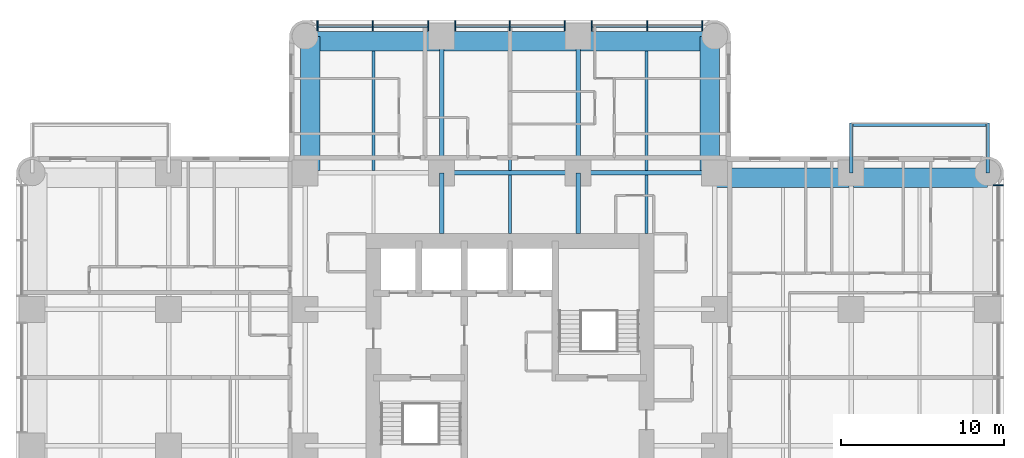
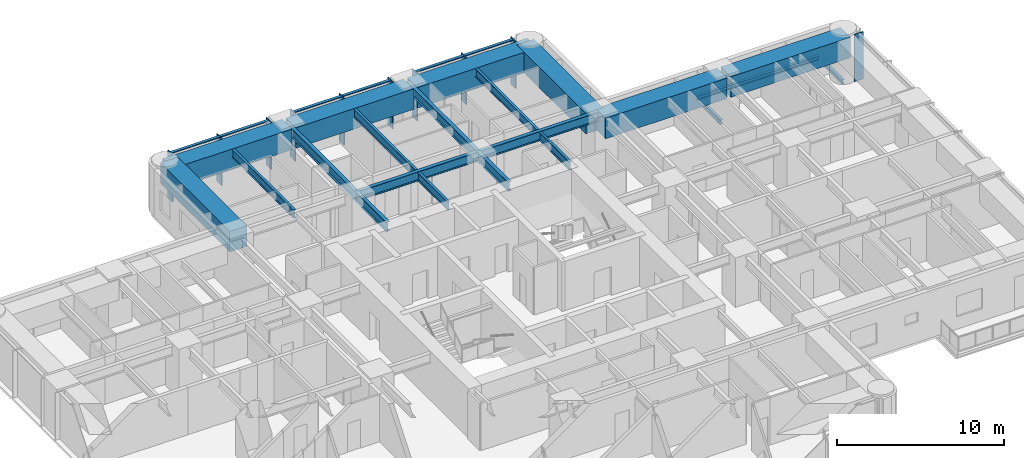
# One storey, part 4 of 14: 21 beams, 16 members, 2 elements without a shape of their own.
"""IFC4 building model written with IfcOpenShell, lengths in metres."""

from ifc_helpers import new_model, si_unit, direction, frame, origin, origin_2d, place, context, subcontext, project, spatial, rectangle, i_section, extrude, material, material_profile, profile_set, type_object, element, aggregate, save


model = new_model("IFC4")

# Units and contexts
model_context = context("Model", 3, precision=1e-05, world=origin(), true_north=direction((0.0, 1.0)))
body_context = subcontext(model_context, "Body", "Model", "MODEL_VIEW")
ifc_project = project(units=[si_unit("LENGTHUNIT", "METRE"), si_unit("AREAUNIT", "SQUARE_METRE"), si_unit("VOLUMEUNIT", "CUBIC_METRE"), si_unit("PLANEANGLEUNIT", "RADIAN"), si_unit("MASSUNIT", "GRAM", prefix="KILO")], contexts=[model_context])

# Site, building, storey
site_placement = place(None, origin())
site = spatial("IfcSite", under=ifc_project, at=site_placement, CompositionType="ELEMENT")
building_placement = place(site_placement, origin())
building = spatial("IfcBuilding", under=site, at=building_placement, Name="Torre Alcanfor", CompositionType="ELEMENT")
storey_placement = place(building_placement, frame((0.0, 0.0, 126.89990234375)))
storey = spatial("IfcBuildingStorey", under=building, at=storey_placement, Name="L32", CompositionType="ELEMENT", Elevation=126.89990234375)

# Beams
ifc_material_1 = material(Name="Steel ASTM A992 Grade 50", Category="steel")
ifc_material_profile_1 = material_profile(ifc_material_1, i_section(OverallWidth=0.205322265625, OverallDepth=0.309814453125, WebThickness=0.00927734375, FlangeThickness=0.016357421875, at=origin_2d()), Name="W12x50")
ifc_profile_set_1 = profile_set([ifc_material_profile_1], Name="Steel ASTM A992 Grade 50")
beam_type_1 = type_object("IfcBeamType", Name="Balcony cantilever beam W12x50", PredefinedType="BEAM", material=ifc_profile_set_1)
for number, where, z_axis, x_axis, name in (
    (1, (50.39990234375, 42.0, -0.354736328125), (0.0, 1.0, 0.0), (-1.0, 0.0, 0.0), "Balcony cantilever beam L32-E1 1"),
    (2, (58.800048828125, 42.0, -0.354736328125), (0.0, 1.0, 0.0), (-1.0, 0.0, 0.0), "Balcony cantilever beam L32-E1 2"),
):
    element("IfcBeam", number, at=place(storey_placement, frame(where, z_axis=z_axis, x_axis=x_axis)), inside=storey, type_object=beam_type_1, Name=name, PredefinedType="BEAM", context=body_context, shape_type="SweptSolid", body=[
        extrude(i_section(OverallWidth=0.205322265625, OverallDepth=0.309814453125, WebThickness=0.00927734375, FlangeThickness=0.016357421875, at=origin_2d()), origin(), (0.0, 0.0, 1.0), 3.050048828125),
    ])
ifc_material_2 = material(Name="Steel ASTM A992 Grade 50", Category="steel")
ifc_material_profile_2 = material_profile(ifc_material_2, i_section(OverallWidth=0.203369140625, OverallDepth=0.30224609375, WebThickness=0.007568359375, FlangeThickness=0.01318359375, at=origin_2d()), Name="W12x40")
ifc_profile_set_2 = profile_set([ifc_material_profile_2], Name="Steel ASTM A992 Grade 50")
beam_type_2 = type_object("IfcBeamType", Name="Balcony edge trimmer W12x40", PredefinedType="BEAM", material=ifc_profile_set_2)
beam_1_placement = place(storey_placement, frame((50.39990234375, 44.9482421875, -0.35107421875), z_axis=(1.0, 0.0, 0.0), x_axis=(0.0, 1.0, 0.0)))
element("IfcBeam", 3, at=beam_1_placement, inside=storey, type_object=beam_type_2, Name="Balcony edge trimmer L32-E1", PredefinedType="BEAM", context=body_context, shape_type="SweptSolid", body=[
    extrude(i_section(OverallWidth=0.203369140625, OverallDepth=0.30224609375, WebThickness=0.007568359375, FlangeThickness=0.01318359375, at=origin_2d()), origin(), (0.0, 0.0, 1.0), 8.400146484375),
])

# Curtain wall, member
ifc_material_3 = material(Name="Aluminium and glass", Category="aluminium")
curtain_wall_type = type_object("IfcCurtainWallType", Name="CW-A unitised apartment glazing with vertical FIN", PredefinedType="NOTDEFINED", material=ifc_material_3)
curtain_wall_1_placement = place(storey_placement, origin())
curtain_wall_1 = element("IfcCurtainWall", 4, at=curtain_wall_1_placement, inside=storey, type_object=curtain_wall_type, Name="Curtain wall CW-A L32 8", PredefinedType="NOTDEFINED")
ifc_material_4 = material(Name="Bronze anodised aluminium", Category="aluminium")
ifc_material_profile_3 = material_profile(ifc_material_4, rectangle(XDim=0.60009765625, YDim=0.06494140625, at=origin_2d()), Name="CW-A mullion 65x600")
ifc_profile_set_3 = profile_set([ifc_material_profile_3], Name="Bronze anodised aluminium")
member_type_1 = type_object("IfcMemberType", Name="CW-A mullion with vertical FIN 65x600", PredefinedType="MULLION", material=ifc_profile_set_3)
member_1_placement = place(storey_placement, frame((59.449951171875, 41.24267578125, 0.0), z_axis=(0.0, 0.0, 1.0), x_axis=(-1.0, 0.0, 0.0)))
member_1 = element("IfcMember", 5, at=member_1_placement, type_object=member_type_1, Name="CW-A mullion 3.3", PredefinedType="MULLION", context=body_context, shape_type="SweptSolid", body=[
    extrude(rectangle(XDim=0.60009765625, YDim=0.06494140625, at=origin_2d()), origin(), (0.0, 0.0, 1.0), 3.4501953125),
])
aggregate(curtain_wall_1, [member_1])

# Curtain wall, members
curtain_wall_2_placement = place(storey_placement, origin())
curtain_wall_2 = element("IfcCurtainWall", 6, at=curtain_wall_2_placement, inside=storey, type_object=curtain_wall_type, Name="Curtain wall CW-A L32 11", PredefinedType="NOTDEFINED")
member_2_placement = place(storey_placement, frame((41.24267578125, 51.050048828125, 0.0), z_axis=(0.0, 0.0, 1.0), x_axis=(0.0, -1.0, 0.0)))
member_2 = element("IfcMember", 7, at=member_2_placement, type_object=member_type_1, Name="CW-A mullion 1.1", PredefinedType="MULLION", context=body_context, shape_type="SweptSolid", body=[
    extrude(rectangle(XDim=0.60009765625, YDim=0.06494140625, at=origin_2d()), origin(), (0.0, 0.0, 1.0), 3.4501953125),
])
member_3_placement = place(storey_placement, frame((37.840087890625, 51.050048828125, 0.0), z_axis=(0.0, 0.0, 1.0), x_axis=(0.0, -1.0, 0.0)))
member_3 = element("IfcMember", 8, at=member_3_placement, type_object=member_type_1, Name="CW-A mullion 1.2", PredefinedType="MULLION", context=body_context, shape_type="SweptSolid", body=[
    extrude(rectangle(XDim=0.60009765625, YDim=0.06494140625, at=origin_2d()), origin(), (0.0, 0.0, 1.0), 3.4501953125),
])
member_4_placement = place(storey_placement, frame((34.4375, 51.050048828125, 0.0), z_axis=(0.0, 0.0, 1.0), x_axis=(0.0, -1.0, 0.0)))
member_4 = element("IfcMember", 9, at=member_4_placement, type_object=member_type_1, Name="CW-A mullion 1.3", PredefinedType="MULLION", context=body_context, shape_type="SweptSolid", body=[
    extrude(rectangle(XDim=0.60009765625, YDim=0.06494140625, at=origin_2d()), origin(), (0.0, 0.0, 1.0), 3.4501953125),
])
member_5_placement = place(storey_placement, frame((32.762451171875, 51.050048828125, 0.0), z_axis=(0.0, 0.0, 1.0), x_axis=(0.0, -1.0, 0.0)))
member_5 = element("IfcMember", 10, at=member_5_placement, type_object=member_type_1, Name="CW-A mullion 2.1", PredefinedType="MULLION", context=body_context, shape_type="SweptSolid", body=[
    extrude(rectangle(XDim=0.60009765625, YDim=0.06494140625, at=origin_2d()), origin(), (0.0, 0.0, 1.0), 3.4501953125),
])
member_6_placement = place(storey_placement, frame((29.39990234375, 51.050048828125, 0.0), z_axis=(0.0, 0.0, 1.0), x_axis=(0.0, -1.0, 0.0)))
member_6 = element("IfcMember", 11, at=member_6_placement, type_object=member_type_1, Name="CW-A mullion 2.2", PredefinedType="MULLION", context=body_context, shape_type="SweptSolid", body=[
    extrude(rectangle(XDim=0.60009765625, YDim=0.06494140625, at=origin_2d()), origin(), (0.0, 0.0, 1.0), 3.4501953125),
])
member_7_placement = place(storey_placement, frame((26.03759765625, 51.050048828125, 0.0), z_axis=(0.0, 0.0, 1.0), x_axis=(0.0, -1.0, 0.0)))
member_7 = element("IfcMember", 12, at=member_7_placement, type_object=member_type_1, Name="CW-A mullion 2.3", PredefinedType="MULLION", context=body_context, shape_type="SweptSolid", body=[
    extrude(rectangle(XDim=0.60009765625, YDim=0.06494140625, at=origin_2d()), origin(), (0.0, 0.0, 1.0), 3.4501953125),
])
member_8_placement = place(storey_placement, frame((24.362548828125, 51.050048828125, 0.0), z_axis=(0.0, 0.0, 1.0), x_axis=(0.0, -1.0, 0.0)))
member_8 = element("IfcMember", 13, at=member_8_placement, type_object=member_type_1, Name="CW-A mullion 3.1", PredefinedType="MULLION", context=body_context, shape_type="SweptSolid", body=[
    extrude(rectangle(XDim=0.60009765625, YDim=0.06494140625, at=origin_2d()), origin(), (0.0, 0.0, 1.0), 3.4501953125),
])
member_9_placement = place(storey_placement, frame((20.9599609375, 51.050048828125, 0.0), z_axis=(0.0, 0.0, 1.0), x_axis=(0.0, -1.0, 0.0)))
member_9 = element("IfcMember", 14, at=member_9_placement, type_object=member_type_1, Name="CW-A mullion 3.2", PredefinedType="MULLION", context=body_context, shape_type="SweptSolid", body=[
    extrude(rectangle(XDim=0.60009765625, YDim=0.06494140625, at=origin_2d()), origin(), (0.0, 0.0, 1.0), 3.4501953125),
])
member_10_placement = place(storey_placement, frame((17.557373046875, 51.050048828125, 0.0), z_axis=(0.0, 0.0, 1.0), x_axis=(0.0, -1.0, 0.0)))
member_10 = element("IfcMember", 15, at=member_10_placement, type_object=member_type_1, Name="CW-A mullion 3.3", PredefinedType="MULLION", context=body_context, shape_type="SweptSolid", body=[
    extrude(rectangle(XDim=0.60009765625, YDim=0.06494140625, at=origin_2d()), origin(), (0.0, 0.0, 1.0), 3.4501953125),
])
ifc_material_5 = material(Name="Extruded aluminium", Category="aluminium")
ifc_material_profile_4 = material_profile(ifc_material_5, rectangle(XDim=0.199951171875, YDim=0.06494140625, at=origin_2d()), Name="CW-A transom 200x65")
ifc_profile_set_4 = profile_set([ifc_material_profile_4], Name="Extruded aluminium")
member_type_2 = type_object("IfcMemberType", Name="CW-A transom 65x200", PredefinedType="USERDEFINED", material=ifc_profile_set_4)
member_11_placement = place(storey_placement, frame((41.210205078125, 51.050048828125, 3.41748046875), z_axis=(-1.0, 0.0, 0.0), x_axis=(0.0, -1.0, 0.0)))
member_11 = element("IfcMember", 16, at=member_11_placement, type_object=member_type_2, Name="CW-A transom 1.1.2", ObjectType="TRANSOM", PredefinedType="USERDEFINED", context=body_context, shape_type="SweptSolid", body=[
    extrude(rectangle(XDim=0.199951171875, YDim=0.06494140625, at=origin_2d()), origin(), (0.0, 0.0, 1.0), 3.337646484375),
])
member_12_placement = place(storey_placement, frame((37.8076171875, 51.050048828125, 3.41748046875), z_axis=(-1.0, 0.0, 0.0), x_axis=(0.0, -1.0, 0.0)))
member_12 = element("IfcMember", 17, at=member_12_placement, type_object=member_type_2, Name="CW-A transom 1.2.2", ObjectType="TRANSOM", PredefinedType="USERDEFINED", context=body_context, shape_type="SweptSolid", body=[
    extrude(rectangle(XDim=0.199951171875, YDim=0.06494140625, at=origin_2d()), origin(), (0.0, 0.0, 1.0), 3.337646484375),
])
member_13_placement = place(storey_placement, frame((32.72998046875, 51.050048828125, 3.41748046875), z_axis=(-1.0, 0.0, 0.0), x_axis=(0.0, -1.0, 0.0)))
member_13 = element("IfcMember", 18, at=member_13_placement, type_object=member_type_2, Name="CW-A transom 2.1.2", ObjectType="TRANSOM", PredefinedType="USERDEFINED", context=body_context, shape_type="SweptSolid", body=[
    extrude(rectangle(XDim=0.199951171875, YDim=0.06494140625, at=origin_2d()), origin(), (0.0, 0.0, 1.0), 3.29736328125),
])
member_14_placement = place(storey_placement, frame((29.367431640625, 51.050048828125, 3.41748046875), z_axis=(-1.0, 0.0, 0.0), x_axis=(0.0, -1.0, 0.0)))
member_14 = element("IfcMember", 19, at=member_14_placement, type_object=member_type_2, Name="CW-A transom 2.2.2", ObjectType="TRANSOM", PredefinedType="USERDEFINED", context=body_context, shape_type="SweptSolid", body=[
    extrude(rectangle(XDim=0.199951171875, YDim=0.06494140625, at=origin_2d()), origin(), (0.0, 0.0, 1.0), 3.29736328125),
])
member_15_placement = place(storey_placement, frame((24.330078125, 51.050048828125, 3.41748046875), z_axis=(-1.0, 0.0, 0.0), x_axis=(0.0, -1.0, 0.0)))
member_15 = element("IfcMember", 20, at=member_15_placement, type_object=member_type_2, Name="CW-A transom 3.1.2", ObjectType="TRANSOM", PredefinedType="USERDEFINED", context=body_context, shape_type="SweptSolid", body=[
    extrude(rectangle(XDim=0.199951171875, YDim=0.06494140625, at=origin_2d()), origin(), (0.0, 0.0, 1.0), 3.337646484375),
])
member_16_placement = place(storey_placement, frame((20.927490234375, 51.050048828125, 3.41748046875), z_axis=(-1.0, 0.0, 0.0), x_axis=(0.0, -1.0, 0.0)))
member_16 = element("IfcMember", 21, at=member_16_placement, type_object=member_type_2, Name="CW-A transom 3.2.2", ObjectType="TRANSOM", PredefinedType="USERDEFINED", context=body_context, shape_type="SweptSolid", body=[
    extrude(rectangle(XDim=0.199951171875, YDim=0.06494140625, at=origin_2d()), origin(), (0.0, 0.0, 1.0), 3.337646484375),
])
aggregate(curtain_wall_2, [member_2, member_3, member_4, member_11, member_12, member_5, member_6, member_7, member_13, member_14, member_8, member_9, member_10, member_15, member_16])

# Beams
ifc_material_6 = material(Name="Steel ASTM A992 Grade 50", Category="steel")
ifc_material_profile_5 = material_profile(ifc_material_6, i_section(OverallWidth=0.25390625, OverallDepth=0.683349609375, WebThickness=0.012451171875, FlangeThickness=0.01904296875, at=origin_2d()), Name="W27x94")
ifc_profile_set_5 = profile_set([ifc_material_profile_5], Name="Steel ASTM A992 Grade 50")
beam_type_3 = type_object("IfcBeamType", Name="Girder W27x94", PredefinedType="BEAM", material=ifc_profile_set_5)
beam_2_placement = place(storey_placement, frame((25.199951171875, 42.0, 3.1083984375), z_axis=(1.0, 0.0, 0.0), x_axis=(0.0, 1.0, 0.0)))
element("IfcBeam", 22, at=beam_2_placement, inside=storey, type_object=beam_type_3, Name="Beam 4H-5H under L33", PredefinedType="BEAM", context=body_context, shape_type="SweptSolid", body=[
    extrude(i_section(OverallWidth=0.25390625, OverallDepth=0.683349609375, WebThickness=0.012451171875, FlangeThickness=0.01904296875, at=origin_2d()), origin(), (0.0, 0.0, 1.0), 8.400146484375),
])
for number, where, z_axis, x_axis, name in (
    (23, (33.60009765625, 42.0, 3.1083984375), (1.0, 0.0, 0.0), (0.0, 1.0, 0.0), "Beam 5H-6H under L33"),
    (24, (25.199951171875, 42.0, 3.1083984375), (0.0, 1.0, 0.0), (-1.0, 0.0, 0.0), "Beam 4H-4J under L33"),
    (25, (33.60009765625, 42.0, 3.1083984375), (0.0, 1.0, 0.0), (-1.0, 0.0, 0.0), "Beam 5H-5J under L33"),
):
    element("IfcBeam", number, at=place(storey_placement, frame(where, z_axis=z_axis, x_axis=x_axis)), inside=storey, type_object=beam_type_3, Name=name, PredefinedType="BEAM", context=body_context, shape_type="SweptSolid", body=[
        extrude(i_section(OverallWidth=0.25390625, OverallDepth=0.683349609375, WebThickness=0.012451171875, FlangeThickness=0.01904296875, at=origin_2d()), origin(), (0.0, 0.0, 1.0), 8.39990234375),
    ])
ifc_material_7 = material(Name="Steel ASTM A992 Grade 50", Category="steel")
ifc_material_profile_6 = material_profile(ifc_material_7, i_section(OverallWidth=0.25390625, OverallDepth=0.683349609375, WebThickness=0.012451171875, FlangeThickness=0.01904296875, at=origin_2d()), Name="W27x94")
ifc_profile_set_6 = profile_set([ifc_material_profile_6], Name="Steel ASTM A992 Grade 50")
beam_type_4 = type_object("IfcBeamType", Name="Girder, part bay W27x94", PredefinedType="BEAM", material=ifc_profile_set_6)
for number, where, z_axis, x_axis, name in (
    (26, (25.199951171875, 42.0, 3.1083984375), (0.0, -1.0, 0.0), (1.0, 0.0, 0.0), "Beam 4H-438_25 under L33"),
    (27, (33.60009765625, 42.0, 3.1083984375), (0.0, -1.0, 0.0), (1.0, 0.0, 0.0), "Beam 5H-538_25 under L33"),
):
    element("IfcBeam", number, at=place(storey_placement, frame(where, z_axis=z_axis, x_axis=x_axis)), inside=storey, type_object=beam_type_4, Name=name, PredefinedType="BEAM", context=body_context, shape_type="SweptSolid", body=[
        extrude(i_section(OverallWidth=0.25390625, OverallDepth=0.683349609375, WebThickness=0.012451171875, FlangeThickness=0.01904296875, at=origin_2d()), origin(), (0.0, 0.0, 1.0), 3.75),
    ])
ifc_material_8 = material(Name="Concrete f'c 70 MPa", Category="concrete")
ifc_material_profile_7 = material_profile(ifc_material_8, rectangle(XDim=1.199951171875, YDim=1.5, at=origin_2d()), Name="1200x1500")
ifc_profile_set_7 = profile_set([ifc_material_profile_7], Name="Concrete f'c 70 MPa")
beam_type_5 = type_object("IfcBeamType", Name="RC perimeter beam 1200x1500", PredefinedType="BEAM", material=ifc_profile_set_7)
beam_3_placement = place(storey_placement, frame((41.873046875, 41.699951171875, 2.7001953125), z_axis=(1.0, 0.0, 0.0), x_axis=(0.0, 1.0, 0.0)))
element("IfcBeam", 28, at=beam_3_placement, inside=storey, type_object=beam_type_5, Name="Beam 6H-7H under L33", PredefinedType="BEAM", context=body_context, shape_type="SweptSolid", body=[
    extrude(rectangle(XDim=1.199951171875, YDim=1.5, at=origin_2d()), origin(), (0.0, 0.0, 1.0), 8.39990234375),
])
for number, where, z_axis, x_axis, name in (
    (29, (50.527099609375, 41.699951171875, 2.7001953125), (1.0, 0.0, 0.0), (0.0, 1.0, 0.0), "Beam 7H-8H under L33"),
    (30, (16.800048828125, 50.10009765625, 2.7001953125), (1.0, 0.0, 0.0), (0.0, 1.0, 0.0), "Beam 3J-4J under L33"),
):
    element("IfcBeam", number, at=place(storey_placement, frame(where, z_axis=z_axis, x_axis=x_axis)), inside=storey, type_object=beam_type_5, Name=name, PredefinedType="BEAM", context=body_context, shape_type="SweptSolid", body=[
        extrude(rectangle(XDim=1.199951171875, YDim=1.5, at=origin_2d()), origin(), (0.0, 0.0, 1.0), 8.27294921875),
    ])
beam_4_placement = place(storey_placement, frame((25.326904296875, 50.10009765625, 2.7001953125), z_axis=(1.0, 0.0, 0.0), x_axis=(0.0, 1.0, 0.0)))
element("IfcBeam", 31, at=beam_4_placement, inside=storey, type_object=beam_type_5, Name="Beam 4J-5J under L33", PredefinedType="BEAM", context=body_context, shape_type="SweptSolid", body=[
    extrude(rectangle(XDim=1.199951171875, YDim=1.5, at=origin_2d()), origin(), (0.0, 0.0, 1.0), 8.14599609375),
])
for number, where, z_axis, x_axis, name in (
    (32, (33.72705078125, 50.10009765625, 2.7001953125), (1.0, 0.0, 0.0), (0.0, 1.0, 0.0), "Beam 5J-6J under L33"),
    (33, (17.10009765625, 42.126953125, 2.7001953125), (0.0, 1.0, 0.0), (-1.0, 0.0, 0.0), "Beam 3H-3J under L33"),
    (34, (41.699951171875, 42.126953125, 2.7001953125), (0.0, 1.0, 0.0), (-1.0, 0.0, 0.0), "Beam 6H-6J under L33"),
):
    element("IfcBeam", number, at=place(storey_placement, frame(where, z_axis=z_axis, x_axis=x_axis)), inside=storey, type_object=beam_type_5, Name=name, PredefinedType="BEAM", context=body_context, shape_type="SweptSolid", body=[
        extrude(rectangle(XDim=1.199951171875, YDim=1.5, at=origin_2d()), origin(), (0.0, 0.0, 1.0), 8.27294921875),
    ])
ifc_material_9 = material(Name="Steel ASTM A992 Grade 50", Category="steel")
ifc_material_profile_8 = material_profile(ifc_material_9, i_section(OverallWidth=0.1787109375, OverallDepth=0.60205078125, WebThickness=0.010986328125, FlangeThickness=0.014892578125, at=origin_2d()), Name="W24x62")
ifc_profile_set_8 = profile_set([ifc_material_profile_8], Name="Steel ASTM A992 Grade 50")
beam_type_6 = type_object("IfcBeamType", Name="Secondary beam W24x62", PredefinedType="BEAM", material=ifc_profile_set_8)
for number, where, z_axis, x_axis, name in (
    (35, (21.0, 42.126953125, 3.149169921875), (0.0, 1.0, 0.0), (-1.0, 0.0, 0.0), "Beam 21H-21J under L33"),
    (36, (29.39990234375, 42.126953125, 3.149169921875), (0.0, 1.0, 0.0), (-1.0, 0.0, 0.0), "Beam 29_4H-29_4J under L33"),
    (37, (37.800048828125, 42.126953125, 3.149169921875), (0.0, 1.0, 0.0), (-1.0, 0.0, 0.0), "Beam 37_8H-37_8J under L33"),
):
    element("IfcBeam", number, at=place(storey_placement, frame(where, z_axis=z_axis, x_axis=x_axis)), inside=storey, type_object=beam_type_6, Name=name, PredefinedType="BEAM", context=body_context, shape_type="SweptSolid", body=[
        extrude(i_section(OverallWidth=0.1787109375, OverallDepth=0.60205078125, WebThickness=0.010986328125, FlangeThickness=0.014892578125, at=origin_2d()), origin(), (0.0, 0.0, 1.0), 7.373046875),
    ])
ifc_material_10 = material(Name="Steel ASTM A992 Grade 50", Category="steel")
ifc_material_profile_9 = material_profile(ifc_material_10, i_section(OverallWidth=0.1787109375, OverallDepth=0.60205078125, WebThickness=0.010986328125, FlangeThickness=0.014892578125, at=origin_2d()), Name="W24x62")
ifc_profile_set_9 = profile_set([ifc_material_profile_9], Name="Steel ASTM A992 Grade 50")
beam_type_7 = type_object("IfcBeamType", Name="Secondary beam, part bay W24x62", PredefinedType="BEAM", material=ifc_profile_set_9)
for number, where, z_axis, x_axis, name in (
    (38, (29.39990234375, 38.25, 3.149169921875), (0.0, 1.0, 0.0), (-1.0, 0.0, 0.0), "Beam 29_438_25-29_4H under L33"),
    (39, (37.800048828125, 38.25, 3.149169921875), (0.0, 1.0, 0.0), (-1.0, 0.0, 0.0), "Beam 37_838_25-37_8H under L33"),
):
    element("IfcBeam", number, at=place(storey_placement, frame(where, z_axis=z_axis, x_axis=x_axis)), inside=storey, type_object=beam_type_7, Name=name, PredefinedType="BEAM", context=body_context, shape_type="SweptSolid", body=[
        extrude(i_section(OverallWidth=0.1787109375, OverallDepth=0.60205078125, WebThickness=0.010986328125, FlangeThickness=0.014892578125, at=origin_2d()), origin(), (0.0, 0.0, 1.0), 3.623046875),
    ])

save(model, "model.ifc")
